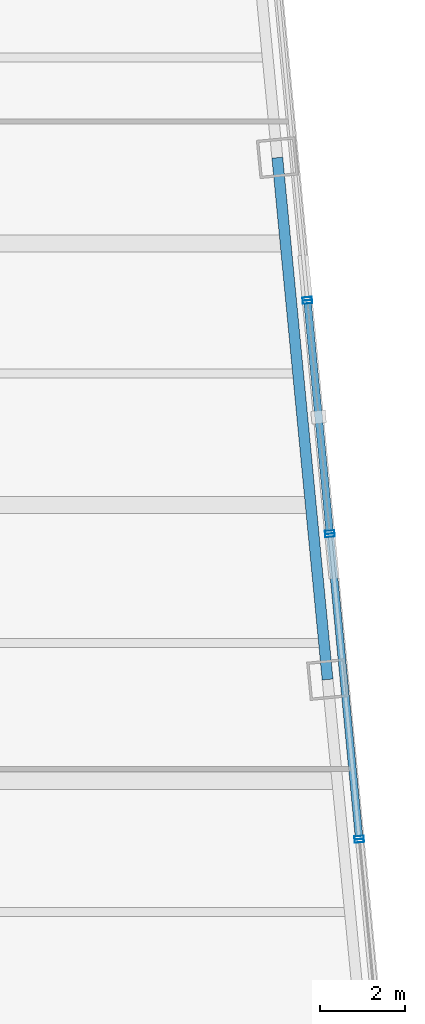
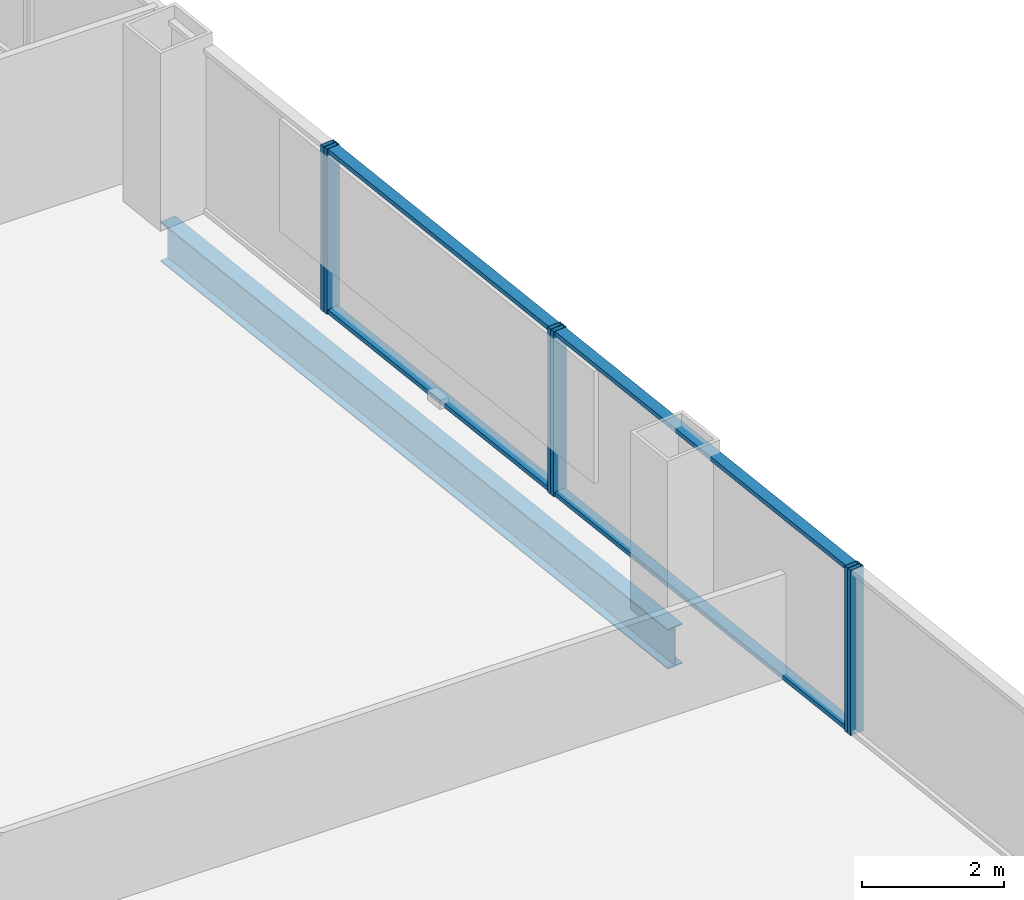
# One storey, part 13 of 27: 10 members, 1 beam, 4 elements without a shape of their own.
"""IFC4 building model written with IfcOpenShell, lengths in metres."""

import ifcopenshell
import ifcopenshell.guid

model = None  # the IFC model being written
_history = None  # IfcOwnerHistory: only IFC2X3 demands one
_inside = {}  # id of a spatial element -> (the spatial element, [elements in it])
_under = {}  # id of a project, library or spatial element -> (it, [spatial elements below it])
_declared = {}  # id of a project -> (the project, [libraries it declares])
_typed = {}  # id of a type object -> (the type object, [elements of that type])
_made_of = {}  # id of a material, layer set ... -> (it, [elements and type objects made of it])


def new_model(schema):
    """Start an empty IFC model of exactly this schema.

    Asked for "IFC4X3", IfcOpenShell would pick the latest addendum, in which some entities
    have other attributes; the version numbers below select the first issue.
    IFC2X3 requires an IfcOwnerHistory on every rooted entity: one is made here for all.
    """
    global model, _history
    if schema == "IFC4X3":
        model = ifcopenshell.file(schema_version=(4, 3, 0, 0))
    else:
        model = ifcopenshell.file(schema=schema)
    _inside.clear()
    _under.clear()
    _declared.clear()
    _typed.clear()
    _made_of.clear()
    _history = None
    if model.schema == "IFC2X3":
        org = make("IfcOrganization", Name="unknown")
        user = make(
            "IfcPersonAndOrganization",
            ThePerson=make("IfcPerson", FamilyName="unknown"),
            TheOrganization=org,
        )
        app = make(
            "IfcApplication",
            ApplicationDeveloper=org,
            Version="unknown",
            ApplicationFullName="unknown",
            ApplicationIdentifier="unknown",
        )
        _history = make(
            "IfcOwnerHistory",
            OwningUser=user,
            OwningApplication=app,
            ChangeAction="ADDED",
            CreationDate=0,
        )
    return model


def make(cls, **values):
    """One entity of the class cls with the attributes given. An attribute that is None is left unset."""
    return model.create_entity(
        cls, **{name: value for name, value in values.items() if value is not None}
    )


def rooted(cls, **values):
    """An entity with a GlobalId (a new one), such as an element, a storey or a relation."""
    return make(cls, GlobalId=ifcopenshell.guid.new(), OwnerHistory=_history, **values)


def si_unit(unit_type, name, prefix=None):
    """IfcSIUnit, for example si_unit("LENGTHUNIT", "METRE", prefix="MILLI")."""
    return make("IfcSIUnit", UnitType=unit_type, Prefix=prefix, Name=name)


def assignment(units):
    """IfcUnitAssignment: the units of a project."""
    return None if units is None else make("IfcUnitAssignment", Units=units)


def point(xyz):
    """IfcCartesianPoint."""
    return None if xyz is None else make("IfcCartesianPoint", Coordinates=xyz)


def direction(xyz):
    """IfcDirection."""
    return None if xyz is None else make("IfcDirection", DirectionRatios=xyz)


def frame(location, z_axis=None, x_axis=None):
    """IfcAxis2Placement3D, a coordinate frame: its origin and axes. An axis left out is left unset."""
    return make(
        "IfcAxis2Placement3D",
        Location=point(location),
        Axis=direction(z_axis),
        RefDirection=direction(x_axis),
    )


def frame_2d(location, x_axis=None):
    """IfcAxis2Placement2D, a coordinate frame in the plane: its origin and x axis."""
    return make(
        "IfcAxis2Placement2D", Location=point(location), RefDirection=direction(x_axis)
    )


def origin():
    """The frame at (0, 0, 0) with its axes left unset."""
    return frame((0.0, 0.0, 0.0))


def origin_2d():
    """The frame at (0, 0) in the plane with its x axis left unset."""
    return frame_2d((0.0, 0.0))


def place(relative_to, where):
    """IfcLocalPlacement: puts the frame where relative to a parent placement (None: the world)."""
    return make(
        "IfcLocalPlacement", PlacementRelTo=relative_to, RelativePlacement=where
    )


def context(
    kind, dimensions, precision=None, world=None, true_north=None, identifier=None
):
    """IfcGeometricRepresentationContext, for example the 3D "Model" context."""
    return make(
        "IfcGeometricRepresentationContext",
        ContextIdentifier=identifier,
        ContextType=kind,
        CoordinateSpaceDimension=dimensions,
        Precision=precision,
        WorldCoordinateSystem=world,
        TrueNorth=true_north,
    )


def subcontext(parent, identifier, kind, view, scale=None):
    """IfcGeometricRepresentationSubContext, for example "Body" below "Model"."""
    return make(
        "IfcGeometricRepresentationSubContext",
        ContextIdentifier=identifier,
        ContextType=kind,
        ParentContext=parent,
        TargetScale=scale,
        TargetView=view,
    )


def project(units=None, contexts=None):
    """IfcProject with its units and contexts."""
    return rooted(
        "IfcProject",
        Name="project",
        RepresentationContexts=contexts,
        UnitsInContext=assignment(units),
    )


def spatial(cls, under=None, at=None, **own):
    """A site, building, storey or space (cls), placed at a placement, below another one or the project."""
    s = rooted(cls, ObjectPlacement=at, **own)
    if under is not None:
        _under.setdefault(under.id(), (under, []))[1].append(s)
    return s


def profile(cls, at=None, kind="AREA", **sizes):
    """A parametric profile (cls). Its sizes go by their IFC names, for example OverallWidth=200.0."""
    return make(cls, ProfileType=kind, Position=at, **sizes)


def hollow_rectangle(**sizes):
    """IfcRectangleHollowProfileDef."""
    return profile("IfcRectangleHollowProfileDef", **sizes)


def i_section(**sizes):
    """IfcIShapeProfileDef."""
    return profile("IfcIShapeProfileDef", **sizes)


def extrude(swept, where, along, depth):
    """IfcExtrudedAreaSolid: the profile swept, set in the frame where, extruded along a direction by depth."""
    return make(
        "IfcExtrudedAreaSolid",
        SweptArea=swept,
        Position=where,
        ExtrudedDirection=direction(along),
        Depth=depth,
    )


def shape(context_of_items, identifier, shape_type, items):
    """IfcShapeRepresentation: the items that make up one representation, for example the "Body"."""
    return make(
        "IfcShapeRepresentation",
        ContextOfItems=context_of_items,
        RepresentationIdentifier=identifier,
        RepresentationType=shape_type,
        Items=items,
    )


def material(Name=None, Category=None):
    """IfcMaterial."""
    return make("IfcMaterial", Name=Name, Category=Category)


def layer(
    of_material, thickness, ventilated=None, Name=None, Category=None, Priority=None
):
    """IfcMaterialLayer: one layer of a wall or slab, of a material (None: an air gap)."""
    return make(
        "IfcMaterialLayer",
        Material=of_material,
        LayerThickness=thickness,
        IsVentilated=ventilated,
        Name=Name,
        Category=Category,
        Priority=Priority,
    )


def layer_set(layers, Name=None):
    """IfcMaterialLayerSet."""
    return make("IfcMaterialLayerSet", MaterialLayers=layers, LayerSetName=Name)


def material_profile(
    of_material, cross_section, Name=None, Category=None, Priority=None
):
    """IfcMaterialProfile: a cross section and its material."""
    return make(
        "IfcMaterialProfile",
        Name=Name,
        Material=of_material,
        Profile=cross_section,
        Priority=Priority,
        Category=Category,
    )


def profile_set(profiles, Name=None, composite=None):
    """IfcMaterialProfileSet."""
    return make(
        "IfcMaterialProfileSet",
        Name=Name,
        MaterialProfiles=profiles,
        CompositeProfile=composite,
    )


def made_of(thing, what):
    """Note that an element or type object is made of a material, layer set ...; save() writes the relation."""
    if what is not None:
        _made_of.setdefault(what.id(), (what, []))[1].append(thing)
    return thing


def type_object(cls, material=None, **own):
    """A type object (cls), such as IfcWallType, which elements share."""
    return made_of(rooted(cls, **own), material)


def element(
    cls,
    number,
    at=None,
    inside=None,
    cuts=None,
    type_object=None,
    material=None,
    context=None,
    identifier="Body",
    shape_type=None,
    held_by="IfcProductDefinitionShape",
    body=None,
    shapes=None,
    **own,
):
    """One element of the class cls, such as IfcWall. Its Tag is "e" and its number.

    at: its placement. inside: the storey or other place that contains it. cuts: it is an
    opening in that element (IfcRelVoidsElement). A single representation is given by context,
    identifier, shape_type and body (its items); several are given by shapes. held_by: the class
    of the entity that holds the representations. save() writes the other relations.
    """
    e = rooted(cls, Tag="e%d" % number, ObjectPlacement=at, **own)
    if body is not None:
        shapes = [shape(context, identifier, shape_type, body)]
    if shapes is not None:
        e.Representation = make(held_by, Representations=shapes)
    if inside is not None:
        _inside.setdefault(inside.id(), (inside, []))[1].append(e)
    if cuts is not None:
        rooted(
            "IfcRelVoidsElement", RelatingBuildingElement=cuts, RelatedOpeningElement=e
        )
    if type_object is not None:
        _typed.setdefault(type_object.id(), (type_object, []))[1].append(e)
    return made_of(e, material)


def aggregate(whole, parts):
    """IfcRelAggregates: a whole, such as a stair, and the parts it consists of."""
    return rooted("IfcRelAggregates", RelatingObject=whole, RelatedObjects=parts)


def save(model, path):
    """Write the relations noted so far, then the file.

    IfcRelAggregates (storeys below a building ...), IfcRelContainedInSpatialStructure (elements
    in a storey), IfcRelDefinesByType, IfcRelAssociatesMaterial and IfcRelDeclares: one each for
    every whole, place, type object, material and project.
    """
    for whole, parts in _under.values():
        aggregate(whole, parts)
    for where, things in _inside.values():
        rooted(
            "IfcRelContainedInSpatialStructure",
            RelatedElements=things,
            RelatingStructure=where,
        )
    for kind, things in _typed.values():
        rooted("IfcRelDefinesByType", RelatedObjects=things, RelatingType=kind)
    for what, things in _made_of.values():
        rooted("IfcRelAssociatesMaterial", RelatedObjects=things, RelatingMaterial=what)
    for by, libraries in _declared.values():
        rooted("IfcRelDeclares", RelatingContext=by, RelatedDefinitions=libraries)
    model.write(path)


model = new_model("IFC4")

# Units and contexts
model_context = context("Model", 3, precision=1e-05, world=origin(), true_north=direction((0.0, 1.0)))
body_context = subcontext(model_context, "Body", "Model", "MODEL_VIEW")
ifc_project = project(units=[si_unit("LENGTHUNIT", "METRE"), si_unit("AREAUNIT", "SQUARE_METRE"), si_unit("VOLUMEUNIT", "CUBIC_METRE"), si_unit("PLANEANGLEUNIT", "RADIAN"), si_unit("MASSUNIT", "GRAM", prefix="KILO")], contexts=[model_context])

# Site, building, storey
site_placement = place(None, origin())
site = spatial("IfcSite", under=ifc_project, at=site_placement, CompositionType="ELEMENT")
building_placement = place(site_placement, origin())
building = spatial("IfcBuilding", under=site, at=building_placement, Name="Qhalaya Broadcast Tower", CompositionType="ELEMENT")
storey_placement = place(building_placement, frame((0.0, 0.0, 84.699951171875)))
storey = spatial("IfcBuildingStorey", under=building, at=storey_placement, Name="L24", CompositionType="ELEMENT", Elevation=84.699951171875)

# Beam
ifc_material_1 = material(Name="Structural Steel ASTM A992 Grade 50", Category="steel")
ifc_material_profile_1 = material_profile(ifc_material_1, i_section(OverallWidth=0.25390625, OverallDepth=0.68310546875, WebThickness=0.012451171875, FlangeThickness=0.01904296875, at=origin_2d()), Name="W27X94")
ifc_profile_set_1 = profile_set([ifc_material_profile_1], Name="Structural Steel ASTM A992 Grade 50")
beam_type = type_object("IfcBeamType", Name="Perimeter Ring Spandrel Beam SP1", PredefinedType="SPANDREL", material=ifc_profile_set_1)
beam_placement = place(storey_placement, frame((28.116943359375, -0.255126953125, -0.5615234375), z_axis=(-0.095851586307, 0.99539563662, 0.0), x_axis=(-0.99539563662, -0.095851586307, 0.0)))
element("IfcBeam", 1, at=beam_placement, inside=storey, type_object=beam_type, Name="L24 SP1 L24-SPR-06", PredefinedType="SPANDREL", context=body_context, shape_type="SweptSolid", body=[
    extrude(i_section(OverallWidth=0.25390625, OverallDepth=0.68310546875, WebThickness=0.012451171875, FlangeThickness=0.01904296875, at=origin_2d()), origin(), (0.0, 0.0, 1.0), 12.2666015625),
])

# Curtain wall, member
ifc_material_2 = material(Name="Solar-Control Low-E Triple Glazing", Category="glass")
ifc_layer_1 = layer(ifc_material_2, 0.219970703125, Name="Solar-Control Low-E Triple Glazing")
ifc_layer_set_1 = layer_set([ifc_layer_1], Name="Solar-Control Low-E Triple Glazing")
curtain_wall_type_1 = type_object("IfcCurtainWallType", Name="Even-Block 4-Storey Double-Module Curtain Wall CW-03", PredefinedType="NOTDEFINED", material=ifc_layer_set_1)
curtain_wall_1_placement = place(storey_placement, origin())
curtain_wall_1 = element("IfcCurtainWall", 2, at=curtain_wall_1_placement, inside=storey, type_object=curtain_wall_type_1, Name="L24 Unitised Curtain Wall L24-CW-E2", PredefinedType="NOTDEFINED")
ifc_material_3 = material(Name="Anodised Aluminium 6063-T6", Category="aluminium")
ifc_material_profile_2 = material_profile(ifc_material_3, hollow_rectangle(XDim=0.074951171875, YDim=0.219970703125, WallThickness=0.00390625, at=origin_2d()), Name="ALU-MUL 75x220x4")
ifc_profile_set_2 = profile_set([ifc_material_profile_2], Name="Anodised Aluminium 6063-T6")
member_type_1 = type_object("IfcMemberType", Name="Unitised Curtain-Wall Mullion M01", PredefinedType="MULLION", material=ifc_profile_set_2)
member_1_placement = place(storey_placement, frame((28.862060546875, -4.029296875, 0.0), z_axis=(0.0, 0.0, 1.0), x_axis=(-0.095843001098, 0.995396463295, 0.0)))
member_1 = element("IfcMember", 3, at=member_1_placement, type_object=member_type_1, Name="CW-03 mullion 2", PredefinedType="MULLION", context=body_context, shape_type="SweptSolid", body=[
    extrude(hollow_rectangle(XDim=0.074951171875, YDim=0.219970703125, WallThickness=0.00390625, at=origin_2d()), origin(), (0.0, 0.0, 1.0), 2.830078125),
])
aggregate(curtain_wall_1, [member_1])

# Curtain wall, members
ifc_material_4 = material(Name="Fired Architectural Terracotta", Category="masonry")
ifc_layer_2 = layer(ifc_material_4, 0.219970703125, Name="Fired Architectural Terracotta")
ifc_layer_set_2 = layer_set([ifc_layer_2], Name="Fired Architectural Terracotta")
curtain_wall_type_2 = type_object("IfcCurtainWallType", Name="Block-Cap Unitised Terracotta Spandrel Wall CW-07", PredefinedType="NOTDEFINED", material=ifc_layer_set_2)
curtain_wall_2_placement = place(storey_placement, origin())
curtain_wall_2 = element("IfcCurtainWall", 4, at=curtain_wall_2_placement, inside=storey, type_object=curtain_wall_type_2, Name="L24 Unitised Curtain Wall L24-CW-E3", PredefinedType="NOTDEFINED")
member_2_placement = place(storey_placement, frame((28.85498046875, -3.95458984375, 0.0), z_axis=(0.0, 0.0, 1.0), x_axis=(-0.095850652435, 0.995395726547, 0.0)))
member_2 = element("IfcMember", 5, at=member_2_placement, type_object=member_type_1, Name="CW-07 mullion 1", PredefinedType="MULLION", context=body_context, shape_type="SweptSolid", body=[
    extrude(hollow_rectangle(XDim=0.074951171875, YDim=0.219970703125, WallThickness=0.00390625, at=origin_2d()), origin(), (0.0, 0.0, 1.0), 2.830078125),
])
member_3_placement = place(storey_placement, frame((28.173828125, 3.11865234375, 0.0), z_axis=(0.0, 0.0, 1.0), x_axis=(-0.095850652435, 0.995395726547, 0.0)))
member_3 = element("IfcMember", 6, at=member_3_placement, type_object=member_type_1, Name="CW-07 mullion 2", PredefinedType="MULLION", context=body_context, shape_type="SweptSolid", body=[
    extrude(hollow_rectangle(XDim=0.074951171875, YDim=0.219970703125, WallThickness=0.00390625, at=origin_2d()), origin(), (0.0, 0.0, 1.0), 2.830078125),
])

curtain_wall_3_placement = place(storey_placement, origin())
curtain_wall_3 = element("IfcCurtainWall", 7, at=curtain_wall_3_placement, inside=storey, type_object=curtain_wall_type_1, Name="L24 Unitised Curtain Wall L24-CW-E4", PredefinedType="NOTDEFINED")
member_4_placement = place(storey_placement, frame((28.16650390625, 3.193115234375, 0.0), z_axis=(0.0, 0.0, 1.0), x_axis=(-0.095843001098, 0.995396463295, 0.0)))
member_4 = element("IfcMember", 8, at=member_4_placement, type_object=member_type_1, Name="CW-03 mullion 1", PredefinedType="MULLION", context=body_context, shape_type="SweptSolid", body=[
    extrude(hollow_rectangle(XDim=0.074951171875, YDim=0.219970703125, WallThickness=0.00390625, at=origin_2d()), origin(), (0.0, 0.0, 1.0), 2.830078125),
])
member_5_placement = place(storey_placement, frame((27.64794921875, 8.579345703125, 0.0), z_axis=(0.0, 0.0, 1.0), x_axis=(-0.095843001098, 0.995396463295, 0.0)))
member_5 = element("IfcMember", 9, at=member_5_placement, type_object=member_type_1, Name="CW-03 mullion 2", PredefinedType="MULLION", context=body_context, shape_type="SweptSolid", body=[
    extrude(hollow_rectangle(XDim=0.074951171875, YDim=0.219970703125, WallThickness=0.00390625, at=origin_2d()), origin(), (0.0, 0.0, 1.0), 2.830078125),
])

# Curtain wall, member
curtain_wall_4_placement = place(storey_placement, origin())
curtain_wall_4 = element("IfcCurtainWall", 10, at=curtain_wall_4_placement, inside=storey, type_object=curtain_wall_type_2, Name="L24 Unitised Curtain Wall L24-CW-E5", PredefinedType="NOTDEFINED")
member_6_placement = place(storey_placement, frame((27.640869140625, 8.654052734375, 0.0), z_axis=(0.0, 0.0, 1.0), x_axis=(-0.095850652435, 0.995395726547, 0.0)))
member_6 = element("IfcMember", 11, at=member_6_placement, type_object=member_type_1, Name="CW-07 mullion 1", PredefinedType="MULLION", context=body_context, shape_type="SweptSolid", body=[
    extrude(hollow_rectangle(XDim=0.074951171875, YDim=0.219970703125, WallThickness=0.00390625, at=origin_2d()), origin(), (0.0, 0.0, 1.0), 2.830078125),
])
aggregate(curtain_wall_4, [member_6])

# Member
ifc_material_profile_3 = material_profile(ifc_material_3, hollow_rectangle(XDim=0.074951171875, YDim=0.179931640625, WallThickness=0.00390625, at=origin_2d()), Name="ALU-TRN 75x180x4")
ifc_profile_set_3 = profile_set([ifc_material_profile_3], Name="Anodised Aluminium 6063-T6")
member_type_2 = type_object("IfcMemberType", Name="Unitised Curtain-Wall Transom T01", PredefinedType="USERDEFINED", material=ifc_profile_set_3)
member_7_placement = place(storey_placement, frame((28.851318359375, -3.917236328125, 0.03759765625), z_axis=(-0.095838119582, 0.995396933306, 0.0), x_axis=(0.0, 0.0, 1.0)))
member_7 = element("IfcMember", 12, at=member_7_placement, type_object=member_type_2, Name="CW-07 transom 1.1", ObjectType="TRANSOM", PredefinedType="USERDEFINED", context=body_context, shape_type="SweptSolid", body=[
    extrude(hollow_rectangle(XDim=0.074951171875, YDim=0.179931640625, WallThickness=0.00390625, at=origin_2d()), origin(), (0.0, 0.0, 1.0), 7.031005859375),
])

member_8_placement = place(storey_placement, frame((28.851318359375, -3.917236328125, 2.79248046875), z_axis=(-0.095838119582, 0.995396933306, 0.0), x_axis=(0.0, 0.0, 1.0)))
member_8 = element("IfcMember", 13, at=member_8_placement, type_object=member_type_2, Name="CW-07 transom 1.2", ObjectType="TRANSOM", PredefinedType="USERDEFINED", context=body_context, shape_type="SweptSolid", body=[
    extrude(hollow_rectangle(XDim=0.074951171875, YDim=0.179931640625, WallThickness=0.00390625, at=origin_2d()), origin(), (0.0, 0.0, 1.0), 7.031005859375),
])

aggregate(curtain_wall_2, [member_2, member_3, member_7, member_8])

member_9_placement = place(storey_placement, frame((28.1630859375, 3.23046875, 0.03759765625), z_axis=(-0.09585189358, 0.995395607031, 0.0), x_axis=(0.0, 0.0, 1.0)))
member_9 = element("IfcMember", 14, at=member_9_placement, type_object=member_type_2, Name="CW-03 transom 1.1", ObjectType="TRANSOM", PredefinedType="USERDEFINED", context=body_context, shape_type="SweptSolid", body=[
    extrude(hollow_rectangle(XDim=0.074951171875, YDim=0.179931640625, WallThickness=0.00390625, at=origin_2d()), origin(), (0.0, 0.0, 1.0), 5.336181640625),
])

member_10_placement = place(storey_placement, frame((28.1630859375, 3.23046875, 2.79248046875), z_axis=(-0.09585189358, 0.995395607031, 0.0), x_axis=(0.0, 0.0, 1.0)))
member_10 = element("IfcMember", 15, at=member_10_placement, type_object=member_type_2, Name="CW-03 transom 1.2", ObjectType="TRANSOM", PredefinedType="USERDEFINED", context=body_context, shape_type="SweptSolid", body=[
    extrude(hollow_rectangle(XDim=0.074951171875, YDim=0.179931640625, WallThickness=0.00390625, at=origin_2d()), origin(), (0.0, 0.0, 1.0), 5.336181640625),
])

aggregate(curtain_wall_3, [member_4, member_5, member_9, member_10])

save(model, "model.ifc")
